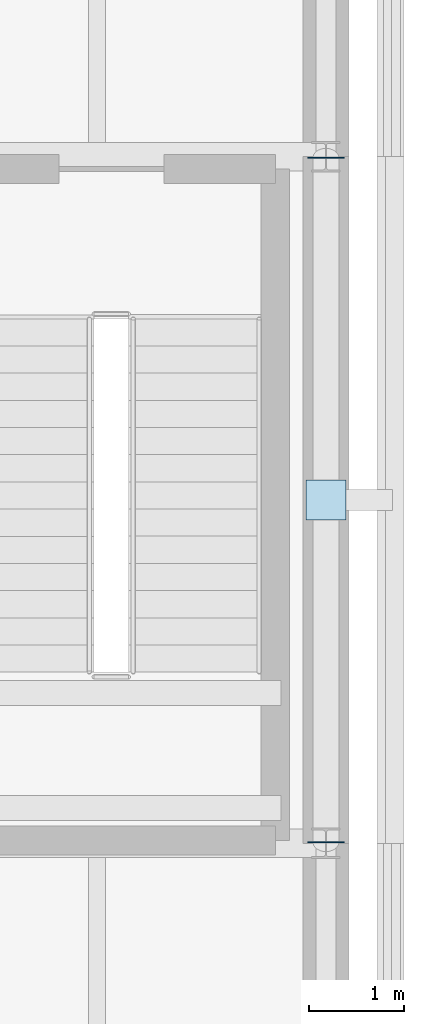
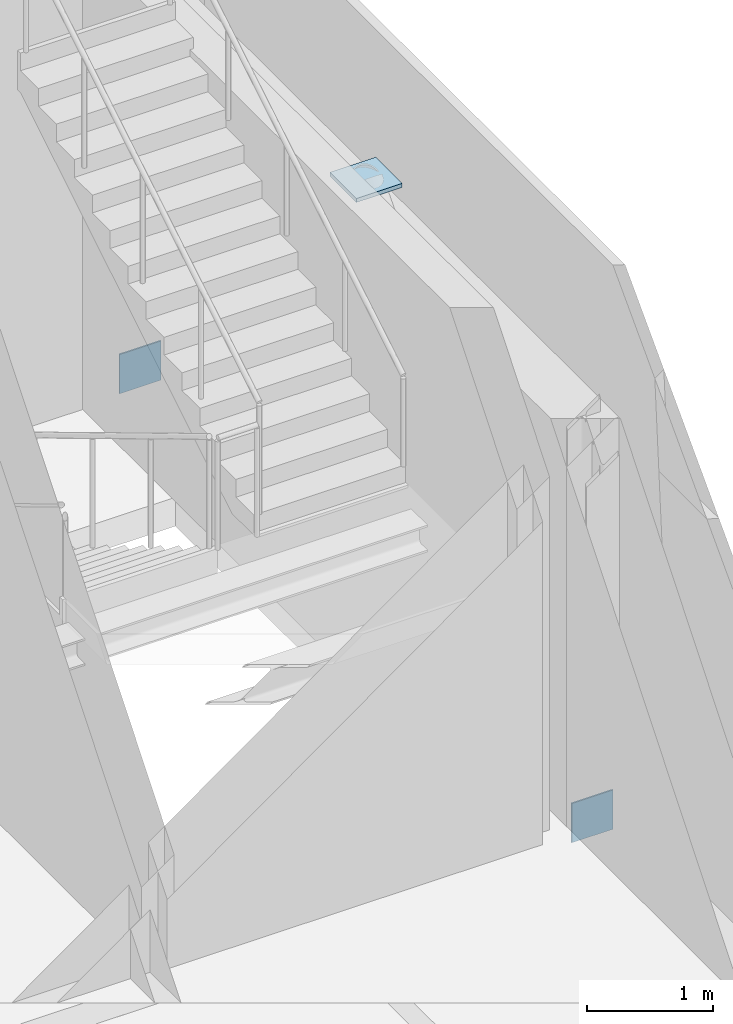
# One storey, part 72 of 121: 3 plates.
"""IFC4 building model written with IfcOpenShell, lengths in metres."""

from ifc_helpers import new_model, si_unit, direction, frame, origin, origin_2d, place, context, subcontext, project, spatial, rectangle, extrude, material, layer, layer_set, type_object, element, save


model = new_model("IFC4")

# Units and contexts
model_context = context("Model", 3, precision=1e-05, world=origin(), true_north=direction((0.0, 1.0)))
body_context = subcontext(model_context, "Body", "Model", "MODEL_VIEW")
ifc_project = project(units=[si_unit("LENGTHUNIT", "METRE"), si_unit("AREAUNIT", "SQUARE_METRE"), si_unit("VOLUMEUNIT", "CUBIC_METRE"), si_unit("PLANEANGLEUNIT", "RADIAN"), si_unit("MASSUNIT", "GRAM", prefix="KILO")], contexts=[model_context])

# Site, building, storey
site_placement = place(None, origin())
site = spatial("IfcSite", under=ifc_project, at=site_placement, CompositionType="ELEMENT")
building_placement = place(site_placement, origin())
building = spatial("IfcBuilding", under=site, at=building_placement, Name="Narikvali Park Central Library", CompositionType="ELEMENT")
storey_placement = place(building_placement, frame((0.0, 0.0, 5.39990234375)))
storey = spatial("IfcBuildingStorey", under=building, at=storey_placement, Name="L01", CompositionType="ELEMENT", Elevation=5.39990234375)

# Plates
ifc_material = material(Name="Steel S355", Category="steel")
ifc_layer_1 = layer(ifc_material, 0.013916015625, Name="Steel S355")
ifc_layer_set_1 = layer_set([ifc_layer_1], Name="Steel S355")
plate_type_1 = type_object("IfcPlateType", Name="Steel Hollow End Cap Plate 14", PredefinedType="SHEET", material=ifc_layer_set_1)
for number, where, z_axis, x_axis, name in (
    (1, (165.60009765625, 14.412353515625, -0.177734375), (0.0, 0.0, 1.0), (-1.0, 0.0, 0.0), "Hollow Section Steel End Cap BR-ECAP-6-L01-A0"),
    (2, (165.60009765625, 21.587646484375, -0.177734375), (0.0, 0.0, 1.0), (1.0, 0.0, 0.0), "Hollow Section Steel End Cap BR-ECAP-6-L01-B0"),
):
    element("IfcPlate", number, at=place(storey_placement, frame(where, z_axis=z_axis, x_axis=x_axis)), inside=storey, type_object=plate_type_1, Name=name, PredefinedType="SHEET", context=body_context, shape_type="SweptSolid", body=[
        extrude(rectangle(XDim=0.3798828125, YDim=0.013916015625, at=origin_2d()), origin(), (0.0, 0.0, 1.0), 0.3798828125),
    ])
ifc_layer_2 = layer(ifc_material, 0.0380859375, Name="Steel S355")
ifc_layer_set_2 = layer_set([ifc_layer_2], Name="Steel S355")
plate_type_2 = type_object("IfcPlateType", Name="Truss Splice Gusset Plate 38", PredefinedType="SHEET", material=ifc_layer_set_2)
plate_placement = place(storey_placement, frame((165.60009765625, 18.0, 3.98095703125), z_axis=(0.0, 0.0, 1.0), x_axis=(1.0, 0.0, 0.0)))
element("IfcPlate", 3, at=plate_placement, inside=storey, type_object=plate_type_2, Name="V6 L01 Chevron Apex Gusset Cap Plate", PredefinedType="SHEET", context=body_context, shape_type="SweptSolid", body=[
    extrude(rectangle(XDim=0.419921875, YDim=0.419921875, at=origin_2d()), origin(), (0.0, 0.0, 1.0), 0.0380859375),
])

save(model, "model.ifc")
